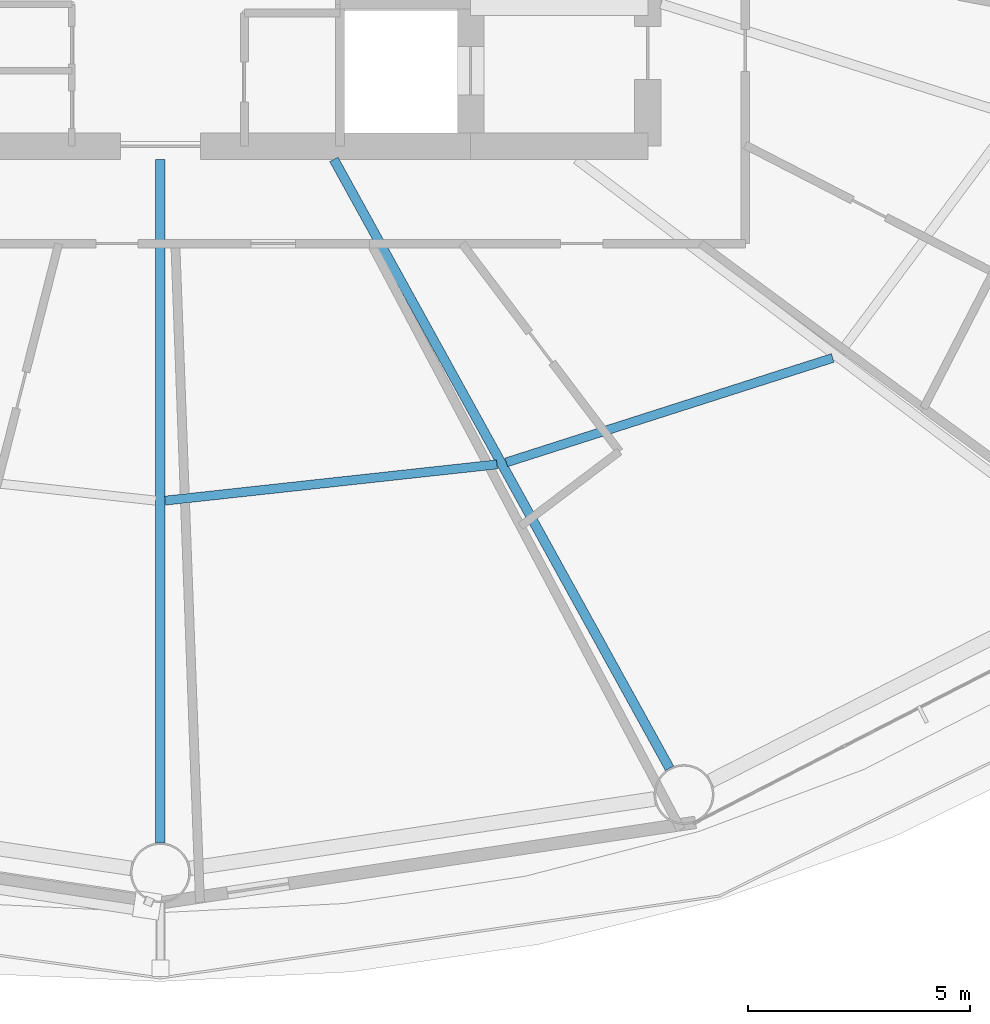
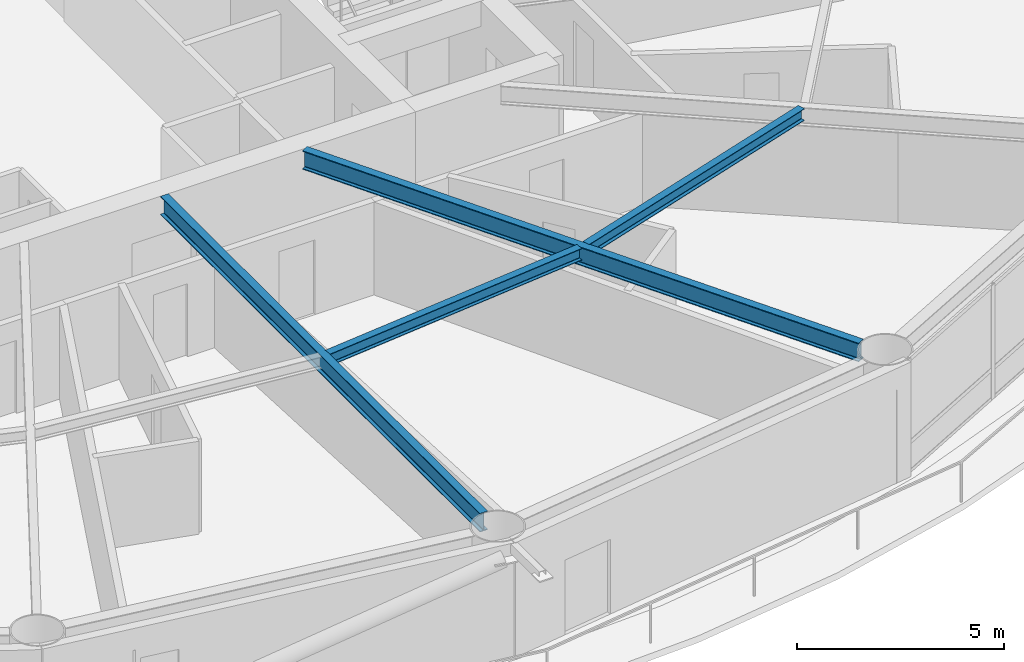
# One storey, part 7 of 26: 4 beams.
"""IFC4 building model written with IfcOpenShell, lengths in metres."""

from ifc_helpers import new_model, si_unit, direction, frame, origin, origin_2d, place, context, subcontext, project, spatial, i_section, extrude, material, material_profile, profile_set, type_object, element, save


model = new_model("IFC4")

# Units and contexts
model_context = context("Model", 3, precision=1e-05, world=origin(), true_north=direction((0.0, 1.0)))
body_context = subcontext(model_context, "Body", "Model", "MODEL_VIEW")
ifc_project = project(units=[si_unit("LENGTHUNIT", "METRE"), si_unit("AREAUNIT", "SQUARE_METRE"), si_unit("VOLUMEUNIT", "CUBIC_METRE"), si_unit("PLANEANGLEUNIT", "RADIAN"), si_unit("MASSUNIT", "GRAM", prefix="KILO")], contexts=[model_context])

# Site, building, storey
site_placement = place(None, origin())
site = spatial("IfcSite", under=ifc_project, at=site_placement, CompositionType="ELEMENT")
building_placement = place(site_placement, origin())
building = spatial("IfcBuilding", under=site, at=building_placement, Name="Sarneth Arch Tower", CompositionType="ELEMENT")
storey_placement = place(building_placement, frame((0.0, 0.0, 46.199951171875)))
storey = spatial("IfcBuildingStorey", under=building, at=storey_placement, Name="L10", CompositionType="ELEMENT", Elevation=46.199951171875)

# Beams
ifc_material_1 = material(Name="Steel S355", Category="steel")
ifc_material_profile_1 = material_profile(ifc_material_1, i_section(OverallWidth=0.2041015625, OverallDepth=0.35009765625, WebThickness=0.008544921875, FlangeThickness=0.01513671875, FilletRadius=0.014892578125, at=origin_2d()), Name="W360x72")
ifc_profile_set_1 = profile_set([ifc_material_profile_1], Name="Steel S355")
beam_type_1 = type_object("IfcBeamType", Name="BM-JOIST-360D", PredefinedType="JOIST", material=ifc_profile_set_1)
beam_1_placement = place(storey_placement, frame((48.1064453125, 27.19921875, 3.205078125), z_axis=(0.994095251924, 0.108510967657, 0.0), x_axis=(-0.108510967657, 0.994095251924, 0.0)))
element("IfcBeam", 1, at=beam_1_placement, inside=storey, type_object=beam_type_1, Name="L10 Secondary floor joist 13", PredefinedType="JOIST", context=body_context, shape_type="SweptSolid", body=[
    extrude(i_section(OverallWidth=0.2041015625, OverallDepth=0.35009765625, WebThickness=0.008544921875, FlangeThickness=0.01513671875, FilletRadius=0.014892578125, at=origin_2d()), origin(), (0.0, 0.0, 1.0), 7.534912109375),
])
beam_2_placement = place(storey_placement, frame((55.80517578125, 28.061279296875, 3.205078125), z_axis=(0.952436240143, 0.304737934073, 0.0), x_axis=(-0.304737934073, 0.952436240143, 0.0)))
element("IfcBeam", 2, at=beam_2_placement, inside=storey, type_object=beam_type_1, Name="L10 Secondary floor joist 14", PredefinedType="JOIST", context=body_context, shape_type="SweptSolid", body=[
    extrude(i_section(OverallWidth=0.2041015625, OverallDepth=0.35009765625, WebThickness=0.008544921875, FlangeThickness=0.01513671875, FilletRadius=0.014892578125, at=origin_2d()), origin(), (0.0, 0.0, 1.0), 7.735107421875),
])
ifc_material_2 = material(Name="Steel S355", Category="steel")
ifc_material_profile_2 = material_profile(ifc_material_2, i_section(OverallWidth=0.214111328125, OverallDepth=0.549072265625, WebThickness=0.0146484375, FlangeThickness=0.023681640625, FilletRadius=0.01806640625, at=origin_2d()), Name="W530x138")
ifc_profile_set_2 = profile_set([ifc_material_profile_2], Name="Steel S355")
beam_type_2 = type_object("IfcBeamType", Name="BM-RAD-530A", PredefinedType="BEAM", material=ifc_profile_set_2)
beam_3_placement = place(storey_placement, frame((48.0, 34.89990234375, 3.10546875), z_axis=(0.0, -1.0, 0.0), x_axis=(1.0, 0.0, 0.0)))
element("IfcBeam", 3, at=beam_3_placement, inside=storey, type_object=beam_type_2, Name="L10 Radial floor girder 13", PredefinedType="BEAM", context=body_context, shape_type="SweptSolid", body=[
    extrude(i_section(OverallWidth=0.214111328125, OverallDepth=0.549072265625, WebThickness=0.0146484375, FlangeThickness=0.023681640625, FilletRadius=0.01806640625, at=origin_2d()), origin(), (0.0, 0.0, 1.0), 15.4248046875),
])
beam_4_placement = place(storey_placement, frame((51.91455078125, 34.89990234375, 3.10546875), z_axis=(0.482837562311, -0.875709933952, 0.0), x_axis=(0.875709933952, 0.482837562311, 0.0)))
element("IfcBeam", 4, at=beam_4_placement, inside=storey, type_object=beam_type_2, Name="L10 Radial floor girder 14", PredefinedType="BEAM", context=body_context, shape_type="SweptSolid", body=[
    extrude(i_section(OverallWidth=0.214111328125, OverallDepth=0.549072265625, WebThickness=0.0146484375, FlangeThickness=0.023681640625, FilletRadius=0.01806640625, at=origin_2d()), origin(), (0.0, 0.0, 1.0), 15.693359375),
])

save(model, "model.ifc")
